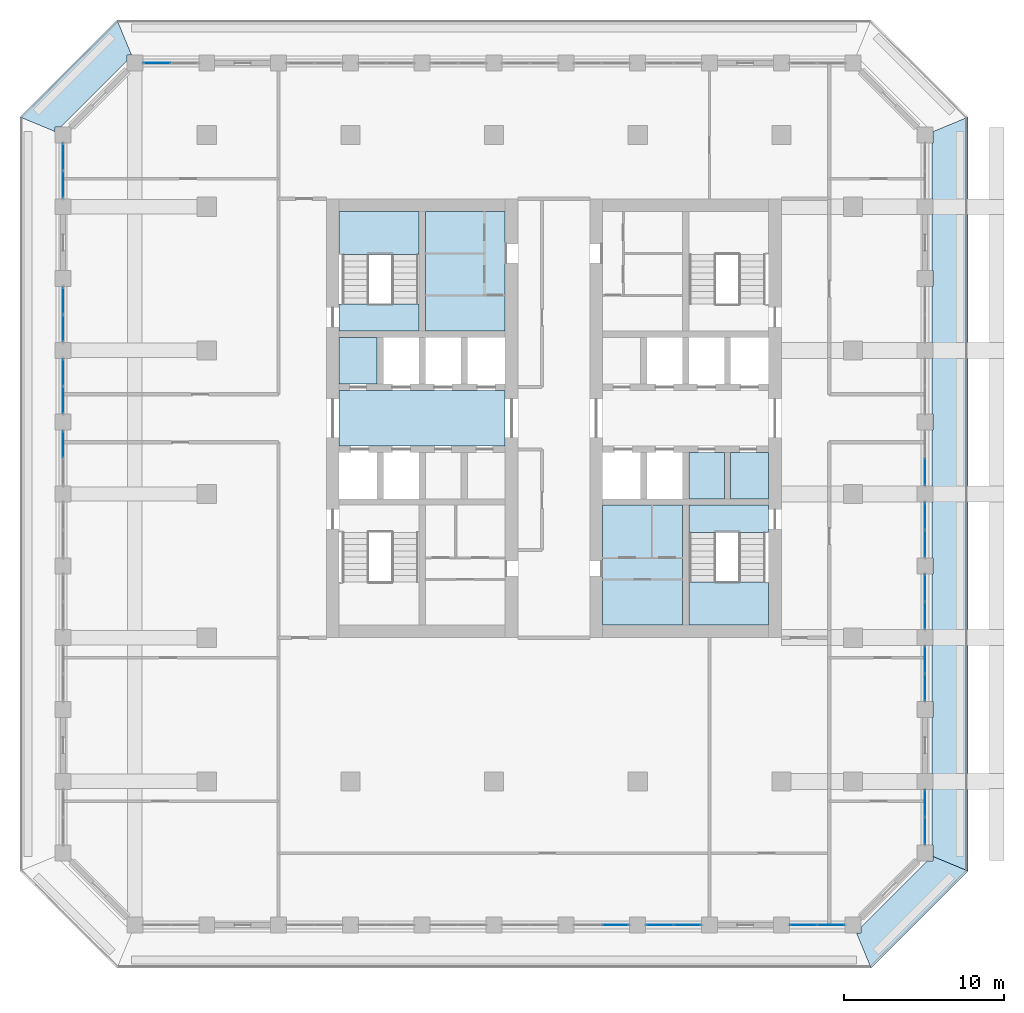
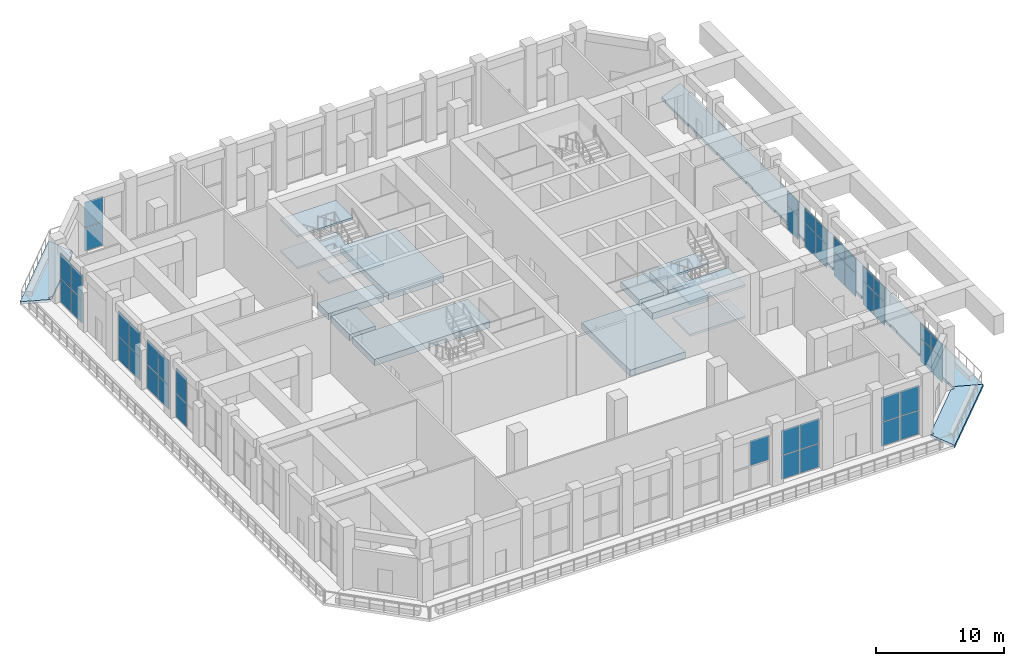
# One storey, part 11 of 25: 43 plates, 17 slabs, 15 elements without a shape of their own.
"""IFC4 building model written with IfcOpenShell, lengths in metres."""

from ifc_helpers import new_model, si_unit, direction, frame, origin, origin_2d, place, context, subcontext, project, spatial, polyline, rectangle, outline, extrude, material, layer, layer_set, type_object, element, aggregate, save


model = new_model("IFC4")

# Units and contexts
model_context = context("Model", 3, precision=1e-05, world=origin(), true_north=direction((0.0, 1.0)))
body_context = subcontext(model_context, "Body", "Model", "MODEL_VIEW")
ifc_project = project(units=[si_unit("LENGTHUNIT", "METRE"), si_unit("AREAUNIT", "SQUARE_METRE"), si_unit("VOLUMEUNIT", "CUBIC_METRE"), si_unit("PLANEANGLEUNIT", "RADIAN"), si_unit("MASSUNIT", "GRAM", prefix="KILO")], contexts=[model_context])

# Site, building, storey
site_placement = place(None, origin())
site = spatial("IfcSite", under=ifc_project, at=site_placement, CompositionType="ELEMENT")
building_placement = place(site_placement, origin())
building = spatial("IfcBuilding", under=site, at=building_placement, Name="Corbel Stack Research Tower", CompositionType="ELEMENT")
storey_placement = place(building_placement, frame((0.0, 0.0, 185.5)))
storey = spatial("IfcBuildingStorey", under=building, at=storey_placement, Name="L42", CompositionType="ELEMENT", Elevation=185.5)

# Curtain wall, plate
ifc_material_1 = material(Name="Aluminium frame, clear glass", Category="aluminium")
curtain_wall_type = type_object("IfcCurtainWallType", Name="Upper amenity floor curtain wall CW3", PredefinedType="NOTDEFINED", material=ifc_material_1)
curtain_wall_1_placement = place(storey_placement, origin())
curtain_wall_1 = element("IfcCurtainWall", 1, at=curtain_wall_1_placement, inside=storey, type_object=curtain_wall_type, Name="Curtain wall CW3 L42 S07", PredefinedType="NOTDEFINED")
ifc_material_2 = material(Name="Low-emissivity glass", Category="glass")
ifc_layer_1 = layer(ifc_material_2, 0.035888671875)
ifc_layer_set_1 = layer_set([ifc_layer_1], Name="Low-emissivity glass")
plate_type = type_object("IfcPlateType", Name="Low-emissivity glazing 36", PredefinedType="CURTAIN_PANEL", material=ifc_layer_set_1)
plate_1_placement = place(storey_placement, frame((7.610107421875, -27.0, 2.330078125), z_axis=(0.0, 0.0, 1.0), x_axis=(1.0, 0.0, 0.0)))
plate_1 = element("IfcPlate", 2, at=plate_1_placement, type_object=plate_type, Name="CW3 panel 2.2", PredefinedType="CURTAIN_PANEL", context=body_context, shape_type="SweptSolid", body=[
    extrude(rectangle(XDim=1.659912109375, YDim=0.035888671875, at=origin_2d()), origin(), (0.0, 0.0, 1.0), 2.360107421875),
])
aggregate(curtain_wall_1, [plate_1])

# Curtain wall, plates
curtain_wall_2_placement = place(storey_placement, origin())
curtain_wall_2 = element("IfcCurtainWall", 3, at=curtain_wall_2_placement, inside=storey, type_object=curtain_wall_type, Name="Curtain wall CW3 L42 S08", PredefinedType="NOTDEFINED")
plate_2_placement = place(storey_placement, frame((10.389892578125, -27.0, 0.06005859375), z_axis=(0.0, 0.0, 1.0), x_axis=(1.0, 0.0, 0.0)))
plate_2 = element("IfcPlate", 4, at=plate_2_placement, type_object=plate_type, Name="CW3 panel 1.1", PredefinedType="CURTAIN_PANEL", context=body_context, shape_type="SweptSolid", body=[
    extrude(rectangle(XDim=1.659912109375, YDim=0.035888671875, at=origin_2d()), origin(), (0.0, 0.0, 1.0), 2.2099609375),
])
plate_3_placement = place(storey_placement, frame((10.389892578125, -27.0, 2.330078125), z_axis=(0.0, 0.0, 1.0), x_axis=(1.0, 0.0, 0.0)))
plate_3 = element("IfcPlate", 5, at=plate_3_placement, type_object=plate_type, Name="CW3 panel 1.2", PredefinedType="CURTAIN_PANEL", context=body_context, shape_type="SweptSolid", body=[
    extrude(rectangle(XDim=1.659912109375, YDim=0.035888671875, at=origin_2d()), origin(), (0.0, 0.0, 1.0), 2.360107421875),
])
plate_4_placement = place(storey_placement, frame((12.110107421875, -27.0, 0.06005859375), z_axis=(0.0, 0.0, 1.0), x_axis=(1.0, 0.0, 0.0)))
plate_4 = element("IfcPlate", 6, at=plate_4_placement, type_object=plate_type, Name="CW3 panel 2.1", PredefinedType="CURTAIN_PANEL", context=body_context, shape_type="SweptSolid", body=[
    extrude(rectangle(XDim=1.659912109375, YDim=0.035888671875, at=origin_2d()), origin(), (0.0, 0.0, 1.0), 2.2099609375),
])
plate_5_placement = place(storey_placement, frame((12.110107421875, -27.0, 2.330078125), z_axis=(0.0, 0.0, 1.0), x_axis=(1.0, 0.0, 0.0)))
plate_5 = element("IfcPlate", 7, at=plate_5_placement, type_object=plate_type, Name="CW3 panel 2.2", PredefinedType="CURTAIN_PANEL", context=body_context, shape_type="SweptSolid", body=[
    extrude(rectangle(XDim=1.659912109375, YDim=0.035888671875, at=origin_2d()), origin(), (0.0, 0.0, 1.0), 2.360107421875),
])
aggregate(curtain_wall_2, [plate_2, plate_3, plate_4, plate_5])

curtain_wall_3_placement = place(storey_placement, origin())
curtain_wall_3 = element("IfcCurtainWall", 8, at=curtain_wall_3_placement, inside=storey, type_object=curtain_wall_type, Name="Curtain wall CW3 L42 S10", PredefinedType="NOTDEFINED")
plate_6_placement = place(storey_placement, frame((19.389892578125, -27.0, 0.06005859375), z_axis=(0.0, 0.0, 1.0), x_axis=(1.0, 0.0, 0.0)))
plate_6 = element("IfcPlate", 9, at=plate_6_placement, type_object=plate_type, Name="CW3 panel 1.1", PredefinedType="CURTAIN_PANEL", context=body_context, shape_type="SweptSolid", body=[
    extrude(rectangle(XDim=1.659912109375, YDim=0.035888671875, at=origin_2d()), origin(), (0.0, 0.0, 1.0), 2.2099609375),
])
plate_7_placement = place(storey_placement, frame((19.389892578125, -27.0, 2.330078125), z_axis=(0.0, 0.0, 1.0), x_axis=(1.0, 0.0, 0.0)))
plate_7 = element("IfcPlate", 10, at=plate_7_placement, type_object=plate_type, Name="CW3 panel 1.2", PredefinedType="CURTAIN_PANEL", context=body_context, shape_type="SweptSolid", body=[
    extrude(rectangle(XDim=1.659912109375, YDim=0.035888671875, at=origin_2d()), origin(), (0.0, 0.0, 1.0), 2.360107421875),
])
plate_8_placement = place(storey_placement, frame((21.110107421875, -27.0, 0.06005859375), z_axis=(0.0, 0.0, 1.0), x_axis=(1.0, 0.0, 0.0)))
plate_8 = element("IfcPlate", 11, at=plate_8_placement, type_object=plate_type, Name="CW3 panel 2.1", PredefinedType="CURTAIN_PANEL", context=body_context, shape_type="SweptSolid", body=[
    extrude(rectangle(XDim=1.659912109375, YDim=0.035888671875, at=origin_2d()), origin(), (0.0, 0.0, 1.0), 2.2099609375),
])
plate_9_placement = place(storey_placement, frame((21.110107421875, -27.0, 2.330078125), z_axis=(0.0, 0.0, 1.0), x_axis=(1.0, 0.0, 0.0)))
plate_9 = element("IfcPlate", 12, at=plate_9_placement, type_object=plate_type, Name="CW3 panel 2.2", PredefinedType="CURTAIN_PANEL", context=body_context, shape_type="SweptSolid", body=[
    extrude(rectangle(XDim=1.659912109375, YDim=0.035888671875, at=origin_2d()), origin(), (0.0, 0.0, 1.0), 2.360107421875),
])
aggregate(curtain_wall_3, [plate_6, plate_7, plate_8, plate_9])

curtain_wall_4_placement = place(storey_placement, origin())
curtain_wall_4 = element("IfcCurtainWall", 13, at=curtain_wall_4_placement, inside=storey, type_object=curtain_wall_type, Name="Curtain wall CW3 L42 E01", PredefinedType="NOTDEFINED")
plate_10_placement = place(storey_placement, frame((27.0, -21.110107421875, 0.06005859375), z_axis=(0.0, 0.0, 1.0), x_axis=(0.0, 1.0, 0.0)))
plate_10 = element("IfcPlate", 14, at=plate_10_placement, type_object=plate_type, Name="CW3 panel 1.1", PredefinedType="CURTAIN_PANEL", context=body_context, shape_type="SweptSolid", body=[
    extrude(rectangle(XDim=1.659912109375, YDim=0.035888671875, at=origin_2d()), origin(), (0.0, 0.0, 1.0), 2.2099609375),
])
plate_11_placement = place(storey_placement, frame((27.0, -21.110107421875, 2.330078125), z_axis=(0.0, 0.0, 1.0), x_axis=(0.0, 1.0, 0.0)))
plate_11 = element("IfcPlate", 15, at=plate_11_placement, type_object=plate_type, Name="CW3 panel 1.2", PredefinedType="CURTAIN_PANEL", context=body_context, shape_type="SweptSolid", body=[
    extrude(rectangle(XDim=1.659912109375, YDim=0.035888671875, at=origin_2d()), origin(), (0.0, 0.0, 1.0), 1.360107421875),
])
plate_12_placement = place(storey_placement, frame((27.0, -19.389892578125, 0.06005859375), z_axis=(0.0, 0.0, 1.0), x_axis=(0.0, 1.0, 0.0)))
plate_12 = element("IfcPlate", 16, at=plate_12_placement, type_object=plate_type, Name="CW3 panel 2.1", PredefinedType="CURTAIN_PANEL", context=body_context, shape_type="SweptSolid", body=[
    extrude(rectangle(XDim=1.659912109375, YDim=0.035888671875, at=origin_2d()), origin(), (0.0, 0.0, 1.0), 2.2099609375),
])
plate_13_placement = place(storey_placement, frame((27.0, -19.389892578125, 2.330078125), z_axis=(0.0, 0.0, 1.0), x_axis=(0.0, 1.0, 0.0)))
plate_13 = element("IfcPlate", 17, at=plate_13_placement, type_object=plate_type, Name="CW3 panel 2.2", PredefinedType="CURTAIN_PANEL", context=body_context, shape_type="SweptSolid", body=[
    extrude(rectangle(XDim=1.659912109375, YDim=0.035888671875, at=origin_2d()), origin(), (0.0, 0.0, 1.0), 1.360107421875),
])
aggregate(curtain_wall_4, [plate_10, plate_11, plate_12, plate_13])

curtain_wall_5_placement = place(storey_placement, origin())
curtain_wall_5 = element("IfcCurtainWall", 18, at=curtain_wall_5_placement, inside=storey, type_object=curtain_wall_type, Name="Curtain wall CW3 L42 E03", PredefinedType="NOTDEFINED")
plate_14_placement = place(storey_placement, frame((27.0, -12.110107421875, 0.06005859375), z_axis=(0.0, 0.0, 1.0), x_axis=(0.0, 1.0, 0.0)))
plate_14 = element("IfcPlate", 19, at=plate_14_placement, type_object=plate_type, Name="CW3 panel 1.1", PredefinedType="CURTAIN_PANEL", context=body_context, shape_type="SweptSolid", body=[
    extrude(rectangle(XDim=1.659912109375, YDim=0.035888671875, at=origin_2d()), origin(), (0.0, 0.0, 1.0), 2.2099609375),
])
plate_15_placement = place(storey_placement, frame((27.0, -12.110107421875, 2.330078125), z_axis=(0.0, 0.0, 1.0), x_axis=(0.0, 1.0, 0.0)))
plate_15 = element("IfcPlate", 20, at=plate_15_placement, type_object=plate_type, Name="CW3 panel 1.2", PredefinedType="CURTAIN_PANEL", context=body_context, shape_type="SweptSolid", body=[
    extrude(rectangle(XDim=1.659912109375, YDim=0.035888671875, at=origin_2d()), origin(), (0.0, 0.0, 1.0), 1.360107421875),
])
plate_16_placement = place(storey_placement, frame((27.0, -10.389892578125, 0.06005859375), z_axis=(0.0, 0.0, 1.0), x_axis=(0.0, 1.0, 0.0)))
plate_16 = element("IfcPlate", 21, at=plate_16_placement, type_object=plate_type, Name="CW3 panel 2.1", PredefinedType="CURTAIN_PANEL", context=body_context, shape_type="SweptSolid", body=[
    extrude(rectangle(XDim=1.659912109375, YDim=0.035888671875, at=origin_2d()), origin(), (0.0, 0.0, 1.0), 2.2099609375),
])
plate_17_placement = place(storey_placement, frame((27.0, -10.389892578125, 2.330078125), z_axis=(0.0, 0.0, 1.0), x_axis=(0.0, 1.0, 0.0)))
plate_17 = element("IfcPlate", 22, at=plate_17_placement, type_object=plate_type, Name="CW3 panel 2.2", PredefinedType="CURTAIN_PANEL", context=body_context, shape_type="SweptSolid", body=[
    extrude(rectangle(XDim=1.659912109375, YDim=0.035888671875, at=origin_2d()), origin(), (0.0, 0.0, 1.0), 1.360107421875),
])
aggregate(curtain_wall_5, [plate_14, plate_15, plate_16, plate_17])

curtain_wall_6_placement = place(storey_placement, origin())
curtain_wall_6 = element("IfcCurtainWall", 23, at=curtain_wall_6_placement, inside=storey, type_object=curtain_wall_type, Name="Curtain wall CW3 L42 E04", PredefinedType="NOTDEFINED")
plate_18_placement = place(storey_placement, frame((27.0, -7.610107421875, 0.06005859375), z_axis=(0.0, 0.0, 1.0), x_axis=(0.0, 1.0, 0.0)))
plate_18 = element("IfcPlate", 24, at=plate_18_placement, type_object=plate_type, Name="CW3 panel 1.1", PredefinedType="CURTAIN_PANEL", context=body_context, shape_type="SweptSolid", body=[
    extrude(rectangle(XDim=1.659912109375, YDim=0.035888671875, at=origin_2d()), origin(), (0.0, 0.0, 1.0), 2.2099609375),
])
plate_19_placement = place(storey_placement, frame((27.0, -7.610107421875, 2.330078125), z_axis=(0.0, 0.0, 1.0), x_axis=(0.0, 1.0, 0.0)))
plate_19 = element("IfcPlate", 25, at=plate_19_placement, type_object=plate_type, Name="CW3 panel 1.2", PredefinedType="CURTAIN_PANEL", context=body_context, shape_type="SweptSolid", body=[
    extrude(rectangle(XDim=1.659912109375, YDim=0.035888671875, at=origin_2d()), origin(), (0.0, 0.0, 1.0), 1.360107421875),
])
plate_20_placement = place(storey_placement, frame((27.0, -5.889892578125, 0.06005859375), z_axis=(0.0, 0.0, 1.0), x_axis=(0.0, 1.0, 0.0)))
plate_20 = element("IfcPlate", 26, at=plate_20_placement, type_object=plate_type, Name="CW3 panel 2.1", PredefinedType="CURTAIN_PANEL", context=body_context, shape_type="SweptSolid", body=[
    extrude(rectangle(XDim=1.659912109375, YDim=0.035888671875, at=origin_2d()), origin(), (0.0, 0.0, 1.0), 2.2099609375),
])
plate_21_placement = place(storey_placement, frame((27.0, -5.889892578125, 2.330078125), z_axis=(0.0, 0.0, 1.0), x_axis=(0.0, 1.0, 0.0)))
plate_21 = element("IfcPlate", 27, at=plate_21_placement, type_object=plate_type, Name="CW3 panel 2.2", PredefinedType="CURTAIN_PANEL", context=body_context, shape_type="SweptSolid", body=[
    extrude(rectangle(XDim=1.659912109375, YDim=0.035888671875, at=origin_2d()), origin(), (0.0, 0.0, 1.0), 1.360107421875),
])
aggregate(curtain_wall_6, [plate_18, plate_19, plate_20, plate_21])

curtain_wall_7_placement = place(storey_placement, origin())
curtain_wall_7 = element("IfcCurtainWall", 28, at=curtain_wall_7_placement, inside=storey, type_object=curtain_wall_type, Name="Curtain wall CW3 L42 E05", PredefinedType="NOTDEFINED")
plate_22_placement = place(storey_placement, frame((27.0, -3.110107421875, 0.06005859375), z_axis=(0.0, 0.0, 1.0), x_axis=(0.0, 1.0, 0.0)))
plate_22 = element("IfcPlate", 29, at=plate_22_placement, type_object=plate_type, Name="CW3 panel 1.1", PredefinedType="CURTAIN_PANEL", context=body_context, shape_type="SweptSolid", body=[
    extrude(rectangle(XDim=1.659912109375, YDim=0.035888671875, at=origin_2d()), origin(), (0.0, 0.0, 1.0), 2.2099609375),
])
plate_23_placement = place(storey_placement, frame((27.0, -3.110107421875, 2.330078125), z_axis=(0.0, 0.0, 1.0), x_axis=(0.0, 1.0, 0.0)))
plate_23 = element("IfcPlate", 30, at=plate_23_placement, type_object=plate_type, Name="CW3 panel 1.2", PredefinedType="CURTAIN_PANEL", context=body_context, shape_type="SweptSolid", body=[
    extrude(rectangle(XDim=1.659912109375, YDim=0.035888671875, at=origin_2d()), origin(), (0.0, 0.0, 1.0), 1.360107421875),
])
plate_24_placement = place(storey_placement, frame((27.0, -1.389892578125, 0.06005859375), z_axis=(0.0, 0.0, 1.0), x_axis=(0.0, 1.0, 0.0)))
plate_24 = element("IfcPlate", 31, at=plate_24_placement, type_object=plate_type, Name="CW3 panel 2.1", PredefinedType="CURTAIN_PANEL", context=body_context, shape_type="SweptSolid", body=[
    extrude(rectangle(XDim=1.659912109375, YDim=0.035888671875, at=origin_2d()), origin(), (0.0, 0.0, 1.0), 2.2099609375),
])
plate_25_placement = place(storey_placement, frame((27.0, -1.389892578125, 2.330078125), z_axis=(0.0, 0.0, 1.0), x_axis=(0.0, 1.0, 0.0)))
plate_25 = element("IfcPlate", 32, at=plate_25_placement, type_object=plate_type, Name="CW3 panel 2.2", PredefinedType="CURTAIN_PANEL", context=body_context, shape_type="SweptSolid", body=[
    extrude(rectangle(XDim=1.659912109375, YDim=0.035888671875, at=origin_2d()), origin(), (0.0, 0.0, 1.0), 1.360107421875),
])
aggregate(curtain_wall_7, [plate_22, plate_23, plate_24, plate_25])

curtain_wall_8_placement = place(storey_placement, origin())
curtain_wall_8 = element("IfcCurtainWall", 33, at=curtain_wall_8_placement, inside=storey, type_object=curtain_wall_type, Name="Curtain wall CW3 L42 E06", PredefinedType="NOTDEFINED")
plate_26_placement = place(storey_placement, frame((27.0, 1.389892578125, 0.06005859375), z_axis=(0.0, 0.0, 1.0), x_axis=(0.0, 1.0, 0.0)))
plate_26 = element("IfcPlate", 34, at=plate_26_placement, type_object=plate_type, Name="CW3 panel 1.1", PredefinedType="CURTAIN_PANEL", context=body_context, shape_type="SweptSolid", body=[
    extrude(rectangle(XDim=1.659912109375, YDim=0.035888671875, at=origin_2d()), origin(), (0.0, 0.0, 1.0), 2.2099609375),
])
plate_27_placement = place(storey_placement, frame((27.0, 1.389892578125, 2.330078125), z_axis=(0.0, 0.0, 1.0), x_axis=(0.0, 1.0, 0.0)))
plate_27 = element("IfcPlate", 35, at=plate_27_placement, type_object=plate_type, Name="CW3 panel 1.2", PredefinedType="CURTAIN_PANEL", context=body_context, shape_type="SweptSolid", body=[
    extrude(rectangle(XDim=1.659912109375, YDim=0.035888671875, at=origin_2d()), origin(), (0.0, 0.0, 1.0), 1.360107421875),
])
aggregate(curtain_wall_8, [plate_26, plate_27])

curtain_wall_9_placement = place(storey_placement, origin())
curtain_wall_9 = element("IfcCurtainWall", 36, at=curtain_wall_9_placement, inside=storey, type_object=curtain_wall_type, Name="Curtain wall CW3 L42 N10", PredefinedType="NOTDEFINED")
plate_28_placement = place(storey_placement, frame((-21.110107421875, 27.0, 0.06005859375), z_axis=(0.0, 0.0, 1.0), x_axis=(-1.0, 0.0, 0.0)))
plate_28 = element("IfcPlate", 37, at=plate_28_placement, type_object=plate_type, Name="CW3 panel 2.1", PredefinedType="CURTAIN_PANEL", context=body_context, shape_type="SweptSolid", body=[
    extrude(rectangle(XDim=1.659912109375, YDim=0.035888671875, at=origin_2d()), origin(), (0.0, 0.0, 1.0), 2.2099609375),
])
plate_29_placement = place(storey_placement, frame((-21.110107421875, 27.0, 2.330078125), z_axis=(0.0, 0.0, 1.0), x_axis=(-1.0, 0.0, 0.0)))
plate_29 = element("IfcPlate", 38, at=plate_29_placement, type_object=plate_type, Name="CW3 panel 2.2", PredefinedType="CURTAIN_PANEL", context=body_context, shape_type="SweptSolid", body=[
    extrude(rectangle(XDim=1.659912109375, YDim=0.035888671875, at=origin_2d()), origin(), (0.0, 0.0, 1.0), 2.360107421875),
])
aggregate(curtain_wall_9, [plate_28, plate_29])

curtain_wall_10_placement = place(storey_placement, origin())
curtain_wall_10 = element("IfcCurtainWall", 39, at=curtain_wall_10_placement, inside=storey, type_object=curtain_wall_type, Name="Curtain wall CW3 L42 W01", PredefinedType="NOTDEFINED")
plate_30_placement = place(storey_placement, frame((-27.0, 21.110107421875, 0.06005859375), z_axis=(0.0, 0.0, 1.0), x_axis=(0.0, -1.0, 0.0)))
plate_30 = element("IfcPlate", 40, at=plate_30_placement, type_object=plate_type, Name="CW3 panel 1.1", PredefinedType="CURTAIN_PANEL", context=body_context, shape_type="SweptSolid", body=[
    extrude(rectangle(XDim=1.659912109375, YDim=0.035888671875, at=origin_2d()), origin(), (0.0, 0.0, 1.0), 2.2099609375),
])
plate_31_placement = place(storey_placement, frame((-27.0, 21.110107421875, 2.330078125), z_axis=(0.0, 0.0, 1.0), x_axis=(0.0, -1.0, 0.0)))
plate_31 = element("IfcPlate", 41, at=plate_31_placement, type_object=plate_type, Name="CW3 panel 1.2", PredefinedType="CURTAIN_PANEL", context=body_context, shape_type="SweptSolid", body=[
    extrude(rectangle(XDim=1.659912109375, YDim=0.035888671875, at=origin_2d()), origin(), (0.0, 0.0, 1.0), 2.360107421875),
])
plate_32_placement = place(storey_placement, frame((-27.0, 19.389892578125, 0.06005859375), z_axis=(0.0, 0.0, 1.0), x_axis=(0.0, -1.0, 0.0)))
plate_32 = element("IfcPlate", 42, at=plate_32_placement, type_object=plate_type, Name="CW3 panel 2.1", PredefinedType="CURTAIN_PANEL", context=body_context, shape_type="SweptSolid", body=[
    extrude(rectangle(XDim=1.659912109375, YDim=0.035888671875, at=origin_2d()), origin(), (0.0, 0.0, 1.0), 2.2099609375),
])
plate_33_placement = place(storey_placement, frame((-27.0, 19.389892578125, 2.330078125), z_axis=(0.0, 0.0, 1.0), x_axis=(0.0, -1.0, 0.0)))
plate_33 = element("IfcPlate", 43, at=plate_33_placement, type_object=plate_type, Name="CW3 panel 2.2", PredefinedType="CURTAIN_PANEL", context=body_context, shape_type="SweptSolid", body=[
    extrude(rectangle(XDim=1.659912109375, YDim=0.035888671875, at=origin_2d()), origin(), (0.0, 0.0, 1.0), 2.360107421875),
])
aggregate(curtain_wall_10, [plate_30, plate_31, plate_32, plate_33])

curtain_wall_11_placement = place(storey_placement, origin())
curtain_wall_11 = element("IfcCurtainWall", 44, at=curtain_wall_11_placement, inside=storey, type_object=curtain_wall_type, Name="Curtain wall CW3 L42 W03", PredefinedType="NOTDEFINED")
plate_34_placement = place(storey_placement, frame((-27.0, 12.110107421875, 0.06005859375), z_axis=(0.0, 0.0, 1.0), x_axis=(0.0, -1.0, 0.0)))
plate_34 = element("IfcPlate", 45, at=plate_34_placement, type_object=plate_type, Name="CW3 panel 1.1", PredefinedType="CURTAIN_PANEL", context=body_context, shape_type="SweptSolid", body=[
    extrude(rectangle(XDim=1.659912109375, YDim=0.035888671875, at=origin_2d()), origin(), (0.0, 0.0, 1.0), 2.2099609375),
])
plate_35_placement = place(storey_placement, frame((-27.0, 12.110107421875, 2.330078125), z_axis=(0.0, 0.0, 1.0), x_axis=(0.0, -1.0, 0.0)))
plate_35 = element("IfcPlate", 46, at=plate_35_placement, type_object=plate_type, Name="CW3 panel 1.2", PredefinedType="CURTAIN_PANEL", context=body_context, shape_type="SweptSolid", body=[
    extrude(rectangle(XDim=1.659912109375, YDim=0.035888671875, at=origin_2d()), origin(), (0.0, 0.0, 1.0), 2.360107421875),
])
plate_36_placement = place(storey_placement, frame((-27.0, 10.389892578125, 0.06005859375), z_axis=(0.0, 0.0, 1.0), x_axis=(0.0, -1.0, 0.0)))
plate_36 = element("IfcPlate", 47, at=plate_36_placement, type_object=plate_type, Name="CW3 panel 2.1", PredefinedType="CURTAIN_PANEL", context=body_context, shape_type="SweptSolid", body=[
    extrude(rectangle(XDim=1.659912109375, YDim=0.035888671875, at=origin_2d()), origin(), (0.0, 0.0, 1.0), 2.2099609375),
])
plate_37_placement = place(storey_placement, frame((-27.0, 10.389892578125, 2.330078125), z_axis=(0.0, 0.0, 1.0), x_axis=(0.0, -1.0, 0.0)))
plate_37 = element("IfcPlate", 48, at=plate_37_placement, type_object=plate_type, Name="CW3 panel 2.2", PredefinedType="CURTAIN_PANEL", context=body_context, shape_type="SweptSolid", body=[
    extrude(rectangle(XDim=1.659912109375, YDim=0.035888671875, at=origin_2d()), origin(), (0.0, 0.0, 1.0), 2.360107421875),
])
aggregate(curtain_wall_11, [plate_34, plate_35, plate_36, plate_37])

curtain_wall_12_placement = place(storey_placement, origin())
curtain_wall_12 = element("IfcCurtainWall", 49, at=curtain_wall_12_placement, inside=storey, type_object=curtain_wall_type, Name="Curtain wall CW3 L42 W04", PredefinedType="NOTDEFINED")
plate_38_placement = place(storey_placement, frame((-27.0, 7.610107421875, 0.06005859375), z_axis=(0.0, 0.0, 1.0), x_axis=(0.0, -1.0, 0.0)))
plate_38 = element("IfcPlate", 50, at=plate_38_placement, type_object=plate_type, Name="CW3 panel 1.1", PredefinedType="CURTAIN_PANEL", context=body_context, shape_type="SweptSolid", body=[
    extrude(rectangle(XDim=1.659912109375, YDim=0.035888671875, at=origin_2d()), origin(), (0.0, 0.0, 1.0), 2.2099609375),
])
plate_39_placement = place(storey_placement, frame((-27.0, 7.610107421875, 2.330078125), z_axis=(0.0, 0.0, 1.0), x_axis=(0.0, -1.0, 0.0)))
plate_39 = element("IfcPlate", 51, at=plate_39_placement, type_object=plate_type, Name="CW3 panel 1.2", PredefinedType="CURTAIN_PANEL", context=body_context, shape_type="SweptSolid", body=[
    extrude(rectangle(XDim=1.659912109375, YDim=0.035888671875, at=origin_2d()), origin(), (0.0, 0.0, 1.0), 2.360107421875),
])
plate_40_placement = place(storey_placement, frame((-27.0, 5.889892578125, 0.06005859375), z_axis=(0.0, 0.0, 1.0), x_axis=(0.0, -1.0, 0.0)))
plate_40 = element("IfcPlate", 52, at=plate_40_placement, type_object=plate_type, Name="CW3 panel 2.1", PredefinedType="CURTAIN_PANEL", context=body_context, shape_type="SweptSolid", body=[
    extrude(rectangle(XDim=1.659912109375, YDim=0.035888671875, at=origin_2d()), origin(), (0.0, 0.0, 1.0), 2.2099609375),
])
plate_41_placement = place(storey_placement, frame((-27.0, 5.889892578125, 2.330078125), z_axis=(0.0, 0.0, 1.0), x_axis=(0.0, -1.0, 0.0)))
plate_41 = element("IfcPlate", 53, at=plate_41_placement, type_object=plate_type, Name="CW3 panel 2.2", PredefinedType="CURTAIN_PANEL", context=body_context, shape_type="SweptSolid", body=[
    extrude(rectangle(XDim=1.659912109375, YDim=0.035888671875, at=origin_2d()), origin(), (0.0, 0.0, 1.0), 2.360107421875),
])
aggregate(curtain_wall_12, [plate_38, plate_39, plate_40, plate_41])

curtain_wall_13_placement = place(storey_placement, origin())
curtain_wall_13 = element("IfcCurtainWall", 54, at=curtain_wall_13_placement, inside=storey, type_object=curtain_wall_type, Name="Curtain wall CW3 L42 W05", PredefinedType="NOTDEFINED")
plate_42_placement = place(storey_placement, frame((-27.0, 3.110107421875, 0.06005859375), z_axis=(0.0, 0.0, 1.0), x_axis=(0.0, -1.0, 0.0)))
plate_42 = element("IfcPlate", 55, at=plate_42_placement, type_object=plate_type, Name="CW3 panel 1.1", PredefinedType="CURTAIN_PANEL", context=body_context, shape_type="SweptSolid", body=[
    extrude(rectangle(XDim=1.659912109375, YDim=0.035888671875, at=origin_2d()), origin(), (0.0, 0.0, 1.0), 2.2099609375),
])
plate_43_placement = place(storey_placement, frame((-27.0, 3.110107421875, 2.330078125), z_axis=(0.0, 0.0, 1.0), x_axis=(0.0, -1.0, 0.0)))
plate_43 = element("IfcPlate", 56, at=plate_43_placement, type_object=plate_type, Name="CW3 panel 1.2", PredefinedType="CURTAIN_PANEL", context=body_context, shape_type="SweptSolid", body=[
    extrude(rectangle(XDim=1.659912109375, YDim=0.035888671875, at=origin_2d()), origin(), (0.0, 0.0, 1.0), 2.360107421875),
])
aggregate(curtain_wall_13, [plate_42, plate_43])

# Slabs
ifc_material_3 = material(Name="Concrete C45/55", Category="concrete")
ifc_layer_2 = layer(ifc_material_3, 0.25)
ifc_layer_set_2 = layer_set([ifc_layer_2], Name="Concrete C45/55")
slab_type_1 = type_object("IfcSlabType", Name="PT balcony slab 250 C45/55", PredefinedType="FLOOR", material=ifc_layer_set_2)
slab_1_placement = place(storey_placement, frame((0.0, 0.0, -0.25)))
element("IfcSlab", 57, at=slab_1_placement, inside=storey, type_object=slab_type_1, Name="Loggia slab L42 SE", PredefinedType="FLOOR", context=body_context, shape_type="SweptSolid", body=[
    extrude(outline(polyline([(27.5, -22.70703125), (27.5, -23.0), (27.136474609375, -23.0), (23.0, -27.136474609375), (23.0, -27.5), (22.70703125, -27.5), (23.618408203125, -29.699951171875), (29.699951171875, -23.618408203125), (27.5, -22.70703125)])), origin(), (0.0, 0.0, 1.0), 0.25),
])
slab_2_placement = place(storey_placement, frame((0.0, 0.0, -0.25)))
element("IfcSlab", 58, at=slab_2_placement, inside=storey, type_object=slab_type_1, Name="Loggia slab L42 E", PredefinedType="FLOOR", context=body_context, shape_type="SweptSolid", body=[
    extrude(outline(polyline([(27.5, 22.70703125), (27.5, 22.0), (27.449951171875, 22.0), (27.449951171875, 18.5), (27.5, 18.5), (27.5, 17.5), (27.449951171875, 17.5), (27.449951171875, 14.0), (27.5, 14.0), (27.5, 13.0), (27.449951171875, 13.0), (27.449951171875, 9.5), (27.5, 9.5), (27.5, 8.5), (27.449951171875, 8.5), (27.449951171875, 5.0), (27.5, 5.0), (27.5, 4.0), (27.449951171875, 4.0), (27.449951171875, 0.5), (27.5, 0.5), (27.5, -0.5), (27.449951171875, -0.5), (27.449951171875, -4.0), (27.5, -4.0), (27.5, -5.0), (27.449951171875, -5.0), (27.449951171875, -8.5), (27.5, -8.5), (27.5, -9.5), (27.449951171875, -9.5), (27.449951171875, -13.0), (27.5, -13.0), (27.5, -14.0), (27.449951171875, -14.0), (27.449951171875, -17.5), (27.5, -17.5), (27.5, -18.5), (27.449951171875, -18.5), (27.449951171875, -22.0), (27.5, -22.0), (27.5, -22.70703125), (29.699951171875, -23.618408203125), (29.699951171875, 23.618408203125), (27.5, 22.70703125)])), origin(), (0.0, 0.0, 1.0), 0.25),
])
slab_3_placement = place(storey_placement, frame((0.0, 0.0, -0.25)))
element("IfcSlab", 59, at=slab_3_placement, inside=storey, type_object=slab_type_1, Name="Loggia slab L42 NW", PredefinedType="FLOOR", context=body_context, shape_type="SweptSolid", body=[
    extrude(outline(polyline([(-27.5, 22.70703125), (-27.5, 23.0), (-27.136474609375, 23.0), (-23.0, 27.136474609375), (-23.0, 27.5), (-22.70703125, 27.5), (-23.618408203125, 29.699951171875), (-29.699951171875, 23.618408203125), (-27.5, 22.70703125)])), origin(), (0.0, 0.0, 1.0), 0.25),
])
ifc_material_4 = material(Name="Concrete C45/55", Category="concrete")
ifc_layer_3 = layer(ifc_material_4, 0.60009765625)
ifc_layer_set_3 = layer_set([ifc_layer_3], Name="Concrete C45/55")
slab_type_2 = type_object("IfcSlabType", Name="PT-600", PredefinedType="FLOOR", material=ifc_layer_set_3)
slab_4_placement = place(storey_placement, frame((0.0, 0.0, -0.60009765625)))
element("IfcSlab", 60, at=slab_4_placement, inside=storey, type_object=slab_type_2, Name="West core floor L42", PredefinedType="FLOOR", context=body_context, shape_type="SweptSolid", body=[
    extrude(outline(polyline([(0.699951171875, 6.5), (-9.699951171875, 6.5), (-9.699951171875, 3.0), (0.699951171875, 3.0), (0.699951171875, 6.5)])), origin(), (0.0, 0.0, 1.0), 0.60009765625),
])
slab_5_placement = place(storey_placement, frame((0.0, 0.0, -0.60009765625)))
element("IfcSlab", 61, at=slab_5_placement, inside=storey, type_object=slab_type_2, Name="West core floor L42", PredefinedType="FLOOR", context=body_context, shape_type="SweptSolid", body=[
    extrude(outline(polyline([(-9.699951171875, 6.89990234375), (-7.324951171875, 6.89990234375), (-7.324951171875, 9.800048828125), (-9.699951171875, 9.800048828125), (-9.699951171875, 6.89990234375)])), origin(), (0.0, 0.0, 1.0), 0.60009765625),
])
slab_6_placement = place(storey_placement, frame((0.0, 0.0, -0.60009765625)))
element("IfcSlab", 62, at=slab_6_placement, inside=storey, type_object=slab_type_2, Name="West core floor L42", PredefinedType="FLOOR", context=body_context, shape_type="SweptSolid", body=[
    extrude(outline(polyline([(0.699951171875, 17.699951171875), (-4.300048828125, 17.699951171875), (-4.300048828125, 10.199951171875), (0.699951171875, 10.199951171875), (0.699951171875, 17.699951171875)])), origin(), (0.0, 0.0, 1.0), 0.60009765625),
])
slab_7_placement = place(storey_placement, frame((0.0, 0.0, -0.60009765625)))
element("IfcSlab", 63, at=slab_7_placement, inside=storey, type_object=slab_type_2, Name="East core floor L42", PredefinedType="FLOOR", context=body_context, shape_type="SweptSolid", body=[
    extrude(outline(polyline([(6.800048828125, -0.699951171875), (6.800048828125, -8.199951171875), (11.800048828125, -8.199951171875), (11.800048828125, -0.699951171875), (6.800048828125, -0.699951171875)])), origin(), (0.0, 0.0, 1.0), 0.60009765625),
])
slab_8_placement = place(storey_placement, frame((0.0, 0.0, -0.60009765625)))
element("IfcSlab", 64, at=slab_8_placement, inside=storey, type_object=slab_type_2, Name="East core floor L42", PredefinedType="FLOOR", context=body_context, shape_type="SweptSolid", body=[
    extrude(outline(polyline([(14.425048828125, -0.300048828125), (14.425048828125, 2.60009765625), (12.199951171875, 2.60009765625), (12.199951171875, -0.300048828125), (14.425048828125, -0.300048828125)])), origin(), (0.0, 0.0, 1.0), 0.60009765625),
])
slab_9_placement = place(storey_placement, frame((0.0, 0.0, -0.60009765625)))
element("IfcSlab", 65, at=slab_9_placement, inside=storey, type_object=slab_type_2, Name="East core floor L42", PredefinedType="FLOOR", context=body_context, shape_type="SweptSolid", body=[
    extrude(outline(polyline([(17.199951171875, -0.300048828125), (17.199951171875, 2.60009765625), (14.824951171875, 2.60009765625), (14.824951171875, -0.300048828125), (17.199951171875, -0.300048828125)])), origin(), (0.0, 0.0, 1.0), 0.60009765625),
])
slab_10_placement = place(storey_placement, frame((0.0, 0.0, -0.60009765625)))
element("IfcSlab", 66, at=slab_10_placement, inside=storey, type_object=slab_type_2, Name="Stair floor landing ST-W2", PredefinedType="FLOOR", context=body_context, shape_type="SweptSolid", body=[
    extrude(outline(polyline([(-9.699951171875, 10.199951171875), (-4.699951171875, 10.199951171875), (-4.699951171875, 11.89990234375), (-9.699951171875, 11.89990234375), (-9.699951171875, 10.199951171875)])), origin(), (0.0, 0.0, 1.0), 0.60009765625),
])
slab_11_placement = place(storey_placement, frame((0.0, 0.0, -0.60009765625)))
element("IfcSlab", 67, at=slab_11_placement, inside=storey, type_object=slab_type_2, Name="Stair floor landing ST-E1", PredefinedType="FLOOR", context=body_context, shape_type="SweptSolid", body=[
    extrude(outline(polyline([(12.199951171875, -2.39990234375), (17.199951171875, -2.39990234375), (17.199951171875, -0.699951171875), (12.199951171875, -0.699951171875), (12.199951171875, -2.39990234375)])), origin(), (0.0, 0.0, 1.0), 0.60009765625),
])

# Stair, slabs
ifc_material_5 = material(Name="Concrete C40/50", Category="concrete")
stair_type = type_object("IfcStairType", Name="Exit stair 36 risers, 388 going", PredefinedType="HALF_TURN_STAIR", material=ifc_material_5)
stair_1_placement = place(storey_placement, origin())
stair_1 = element("IfcStair", 68, at=stair_1_placement, inside=storey, type_object=stair_type, Name="L42 Exit stair ST-W2", PredefinedType="HALF_TURN_STAIR")
ifc_material_6 = material(Name="Concrete C40/50", Category="concrete")
ifc_layer_4 = layer(ifc_material_6, 0.199951171875)
ifc_layer_set_4 = layer_set([ifc_layer_4], Name="Concrete C40/50")
slab_type_3 = type_object("IfcSlabType", Name="Stair landing 200 C40/50", PredefinedType="LANDING", material=ifc_layer_set_4)
slab_12_placement = place(storey_placement, frame((0.0, 0.0, 1.300048828125)))
slab_12 = element("IfcSlab", 69, at=slab_12_placement, type_object=slab_type_3, Name="ST-W2 landing 1", PredefinedType="LANDING", context=body_context, shape_type="SweptSolid", body=[
    extrude(outline(polyline([(-9.699951171875, 15.00390625), (-9.699951171875, 17.699951171875), (-4.699951171875, 17.699951171875), (-4.699951171875, 15.00390625), (-9.699951171875, 15.00390625)])), origin(), (0.0, 0.0, 1.0), 0.199951171875),
])
slab_13_placement = place(storey_placement, frame((0.0, 0.0, 2.800048828125)))
slab_13 = element("IfcSlab", 70, at=slab_13_placement, type_object=slab_type_3, Name="ST-W2 landing 2", PredefinedType="LANDING", context=body_context, shape_type="SweptSolid", body=[
    extrude(outline(polyline([(-9.699951171875, 10.199951171875), (-9.699951171875, 11.89990234375), (-4.699951171875, 11.89990234375), (-4.699951171875, 10.199951171875), (-9.699951171875, 10.199951171875)])), origin(), (0.0, 0.0, 1.0), 0.199951171875),
])
slab_14_placement = place(storey_placement, frame((0.0, 0.0, 4.300048828125)))
slab_14 = element("IfcSlab", 71, at=slab_14_placement, type_object=slab_type_3, Name="ST-W2 landing 3", PredefinedType="LANDING", context=body_context, shape_type="SweptSolid", body=[
    extrude(outline(polyline([(-9.699951171875, 15.00390625), (-9.699951171875, 17.699951171875), (-4.699951171875, 17.699951171875), (-4.699951171875, 15.00390625), (-9.699951171875, 15.00390625)])), origin(), (0.0, 0.0, 1.0), 0.199951171875),
])
aggregate(stair_1, [slab_12, slab_13, slab_14])

stair_2_placement = place(storey_placement, origin())
stair_2 = element("IfcStair", 72, at=stair_2_placement, inside=storey, type_object=stair_type, Name="L42 Exit stair ST-E1", PredefinedType="HALF_TURN_STAIR")
slab_15_placement = place(storey_placement, frame((0.0, 0.0, 1.300048828125)))
slab_15 = element("IfcSlab", 73, at=slab_15_placement, type_object=slab_type_3, Name="ST-E1 landing 1", PredefinedType="LANDING", context=body_context, shape_type="SweptSolid", body=[
    extrude(outline(polyline([(12.199951171875, -8.199951171875), (12.199951171875, -5.50390625), (17.199951171875, -5.50390625), (17.199951171875, -8.199951171875), (12.199951171875, -8.199951171875)])), origin(), (0.0, 0.0, 1.0), 0.199951171875),
])
slab_16_placement = place(storey_placement, frame((0.0, 0.0, 2.800048828125)))
slab_16 = element("IfcSlab", 74, at=slab_16_placement, type_object=slab_type_3, Name="ST-E1 landing 2", PredefinedType="LANDING", context=body_context, shape_type="SweptSolid", body=[
    extrude(outline(polyline([(12.199951171875, -2.39990234375), (12.199951171875, -0.699951171875), (17.199951171875, -0.699951171875), (17.199951171875, -2.39990234375), (12.199951171875, -2.39990234375)])), origin(), (0.0, 0.0, 1.0), 0.199951171875),
])
slab_17_placement = place(storey_placement, frame((0.0, 0.0, 4.300048828125)))
slab_17 = element("IfcSlab", 75, at=slab_17_placement, type_object=slab_type_3, Name="ST-E1 landing 3", PredefinedType="LANDING", context=body_context, shape_type="SweptSolid", body=[
    extrude(outline(polyline([(12.199951171875, -8.199951171875), (12.199951171875, -5.50390625), (17.199951171875, -5.50390625), (17.199951171875, -8.199951171875), (12.199951171875, -8.199951171875)])), origin(), (0.0, 0.0, 1.0), 0.199951171875),
])
aggregate(stair_2, [slab_15, slab_16, slab_17])

save(model, "model.ifc")
